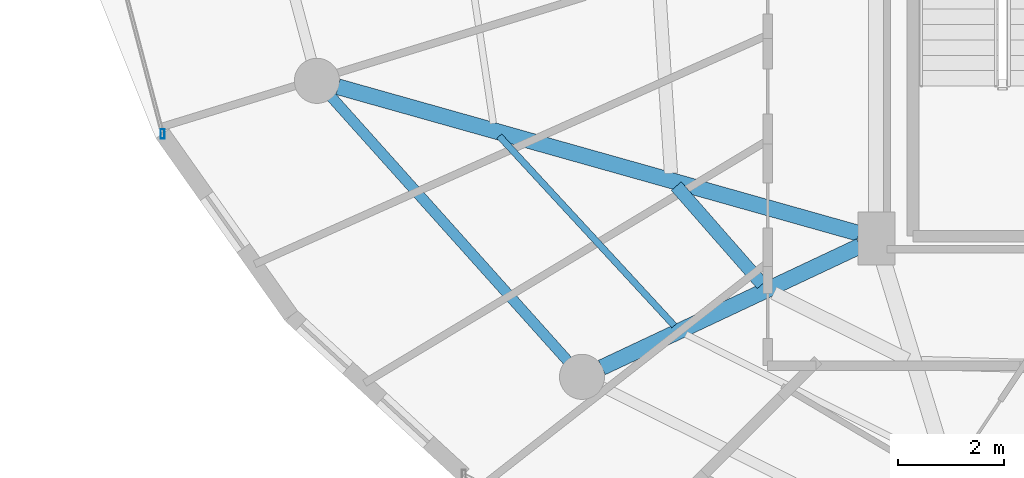
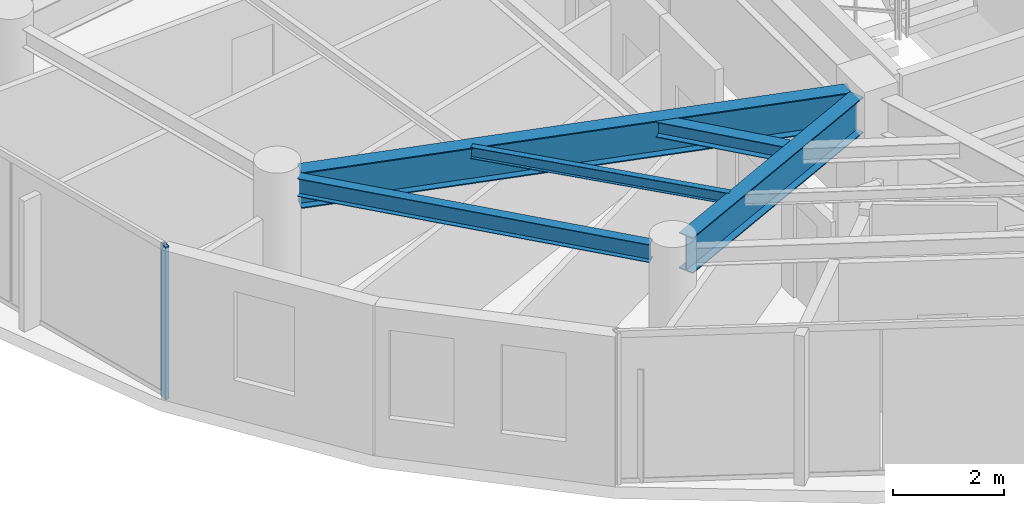
# One storey, part 3 of 29: 5 beams, 1 member, 1 element without a shape of its own.
"""IFC4 building model written with IfcOpenShell, lengths in metres."""

from ifc_helpers import new_model, si_unit, direction, frame, origin, origin_2d, place, context, subcontext, project, spatial, hollow_rectangle, i_section, extrude, material, material_profile, profile_set, type_object, element, aggregate, save


model = new_model("IFC4")

# Units and contexts
model_context = context("Model", 3, precision=1e-05, world=origin(), true_north=direction((0.0, 1.0)))
body_context = subcontext(model_context, "Body", "Model", "MODEL_VIEW")
ifc_project = project(units=[si_unit("LENGTHUNIT", "METRE"), si_unit("AREAUNIT", "SQUARE_METRE"), si_unit("VOLUMEUNIT", "CUBIC_METRE"), si_unit("PLANEANGLEUNIT", "RADIAN"), si_unit("MASSUNIT", "GRAM", prefix="KILO")], contexts=[model_context])

# Site, building, storey
site_placement = place(None, origin())
site = spatial("IfcSite", under=ifc_project, at=site_placement, CompositionType="ELEMENT")
building_placement = place(site_placement, origin())
building = spatial("IfcBuilding", under=site, at=building_placement, Name="Vorneva Point Tower", CompositionType="ELEMENT")
storey_placement = place(building_placement, frame((0.0, 0.0, 259.10009765625)))
storey = spatial("IfcBuildingStorey", under=building, at=storey_placement, Name="L70", CompositionType="ELEMENT", Elevation=259.10009765625)

# Beams
ifc_material_1 = material(Name="Steel S355", Category="steel")
ifc_material_profile_1 = material_profile(ifc_material_1, i_section(OverallWidth=0.300048828125, OverallDepth=0.7880859375, WebThickness=0.014404296875, FlangeThickness=0.02197265625, at=origin_2d()), Name="80Sh1")
ifc_profile_set_1 = profile_set([ifc_material_profile_1], Name="Steel S355")
beam_type_1 = type_object("IfcBeamType", Name="BM-GRD-80Sh1", PredefinedType="USERDEFINED", material=ifc_profile_set_1)
beam_1_placement = place(storey_placement, frame((17.102294921875, 19.305908203125, 2.89599609375), z_axis=(0.962601026021, -0.270922986664, 0.0), x_axis=(0.270922986664, 0.962601026021, 0.0)))
element("IfcBeam", 1, at=beam_1_placement, inside=storey, type_object=beam_type_1, Name="L70 Radial Primary Girder 10", ObjectType="GIRDER", PredefinedType="USERDEFINED", context=body_context, shape_type="SweptSolid", body=[
    extrude(i_section(OverallWidth=0.300048828125, OverallDepth=0.7880859375, WebThickness=0.014404296875, FlangeThickness=0.02197265625, at=origin_2d()), origin(), (0.0, 0.0, 1.0), 10.201904296875),
])
beam_2_placement = place(storey_placement, frame((22.074951171875, 14.013671875, 2.89599609375), z_axis=(0.904750812805, 0.425941271455, 0.0), x_axis=(-0.425941271455, 0.904750812805, 0.0)))
element("IfcBeam", 2, at=beam_2_placement, inside=storey, type_object=beam_type_1, Name="L70 Radial Primary Girder 11", ObjectType="GIRDER", PredefinedType="USERDEFINED", context=body_context, shape_type="SweptSolid", body=[
    extrude(i_section(OverallWidth=0.300048828125, OverallDepth=0.7880859375, WebThickness=0.014404296875, FlangeThickness=0.02197265625, at=origin_2d()), origin(), (0.0, 0.0, 1.0), 5.3798828125),
])
ifc_material_profile_2 = material_profile(ifc_material_1, i_section(OverallWidth=0.1240234375, OverallDepth=0.248046875, WebThickness=0.0048828125, FlangeThickness=0.008056640625, at=origin_2d()), Name="25B1")
ifc_profile_set_2 = profile_set([ifc_material_profile_2], Name="Steel S355")
beam_type_2 = type_object("IfcBeamType", Name="BM-JST-25B1", PredefinedType="JOIST", material=ifc_profile_set_2)
beam_3_placement = place(storey_placement, frame((20.14208984375, 18.37548828125, 3.166015625), z_axis=(0.678409362497, -0.734684106863, 0.0), x_axis=(0.734684106863, 0.678409362497, 0.0)))
element("IfcBeam", 3, at=beam_3_placement, inside=storey, type_object=beam_type_2, Name="L70 Secondary Floor Beam 1.10", PredefinedType="JOIST", context=body_context, shape_type="SweptSolid", body=[
    extrude(i_section(OverallWidth=0.1240234375, OverallDepth=0.248046875, WebThickness=0.0048828125, FlangeThickness=0.008056640625, at=origin_2d()), origin(), (0.0, 0.0, 1.0), 4.86328125),
])
ifc_material_profile_3 = material_profile(ifc_material_1, i_section(OverallWidth=0.2490234375, OverallDepth=0.333984375, WebThickness=0.008056640625, FlangeThickness=0.010986328125, at=origin_2d()), Name="35Sh1")
ifc_profile_set_3 = profile_set([ifc_material_profile_3], Name="Steel S355")
beam_type_3 = type_object("IfcBeamType", Name="BM-SEC-35Sh1", PredefinedType="BEAM", material=ifc_profile_set_3)
beam_4_placement = place(storey_placement, frame((23.478271484375, 17.433349609375, 3.122802734375), z_axis=(0.659115881261, -0.752041391859, 0.0), x_axis=(0.752041391859, 0.659115881261, 0.0)))
element("IfcBeam", 4, at=beam_4_placement, inside=storey, type_object=beam_type_3, Name="L70 Secondary Floor Beam 2.10", PredefinedType="BEAM", context=body_context, shape_type="SweptSolid", body=[
    extrude(i_section(OverallWidth=0.2490234375, OverallDepth=0.333984375, WebThickness=0.008056640625, FlangeThickness=0.010986328125, at=origin_2d()), origin(), (0.0, 0.0, 1.0), 2.459228515625),
])
ifc_material_profile_4 = material_profile(ifc_material_1, i_section(OverallWidth=0.198974609375, OverallDepth=0.39599609375, WebThickness=0.007080078125, FlangeThickness=0.010986328125, at=origin_2d()), Name="40B1")
ifc_profile_set_4 = profile_set([ifc_material_profile_4], Name="Steel S355")
beam_type_4 = type_object("IfcBeamType", Name="BM-SPN-40B1", PredefinedType="SPANDREL", material=ifc_profile_set_4)
beam_5_placement = place(storey_placement, frame((16.97802734375, 19.1123046875, 3.091796875), z_axis=(0.667108282638, -0.744960763554, 0.0), x_axis=(0.744960763554, 0.667108282638, 0.0)))
element("IfcBeam", 5, at=beam_5_placement, inside=storey, type_object=beam_type_4, Name="L70 Perimeter Spandrel Ring Beam 10", PredefinedType="SPANDREL", context=body_context, shape_type="SweptSolid", body=[
    extrude(i_section(OverallWidth=0.198974609375, OverallDepth=0.39599609375, WebThickness=0.007080078125, FlangeThickness=0.010986328125, at=origin_2d()), origin(), (0.0, 0.0, 1.0), 6.670166015625),
])

# Curtain wall, member
ifc_material_2 = material(Name="Pale anodised aluminium", Category="aluminium")
curtain_wall_type = type_object("IfcCurtainWallType", Name="CW-RES-SYS", PredefinedType="NOTDEFINED", material=ifc_material_2)
curtain_wall_placement = place(storey_placement, origin())
curtain_wall = element("IfcCurtainWall", 6, at=curtain_wall_placement, inside=storey, type_object=curtain_wall_type, Name="L70 Unitised Curtain Wall CW-L70-R03", PredefinedType="NOTDEFINED")
ifc_material_profile_5 = material_profile(ifc_material_2, hollow_rectangle(XDim=0.074951171875, YDim=0.179931640625, WallThickness=0.00390625, at=origin_2d()), Name="AL-MUL 180x75x4")
ifc_profile_set_5 = profile_set([ifc_material_profile_5], Name="Pale anodised aluminium")
member_type = type_object("IfcMemberType", Name="CW-MUL-180", PredefinedType="MULLION", material=ifc_profile_set_5)
member_placement = place(storey_placement, frame((13.79443359375, 18.4189453125, -0.0400390625), z_axis=(0.0, 0.0, 1.0), x_axis=(1.0, 0.0, 0.0)))
member = element("IfcMember", 7, at=member_placement, type_object=member_type, Name="CW-L70-R03 Mullion 03", PredefinedType="MULLION", context=body_context, shape_type="SweptSolid", body=[
    extrude(hollow_rectangle(XDim=0.074951171875, YDim=0.179931640625, WallThickness=0.00390625, at=origin_2d()), origin(), (0.0, 0.0, 1.0), 3.35986328125),
])
aggregate(curtain_wall, [member])

save(model, "model.ifc")
